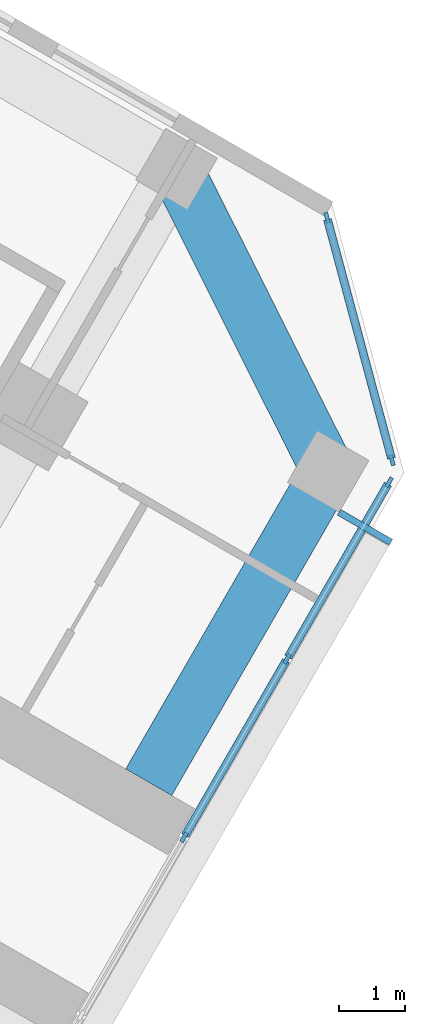
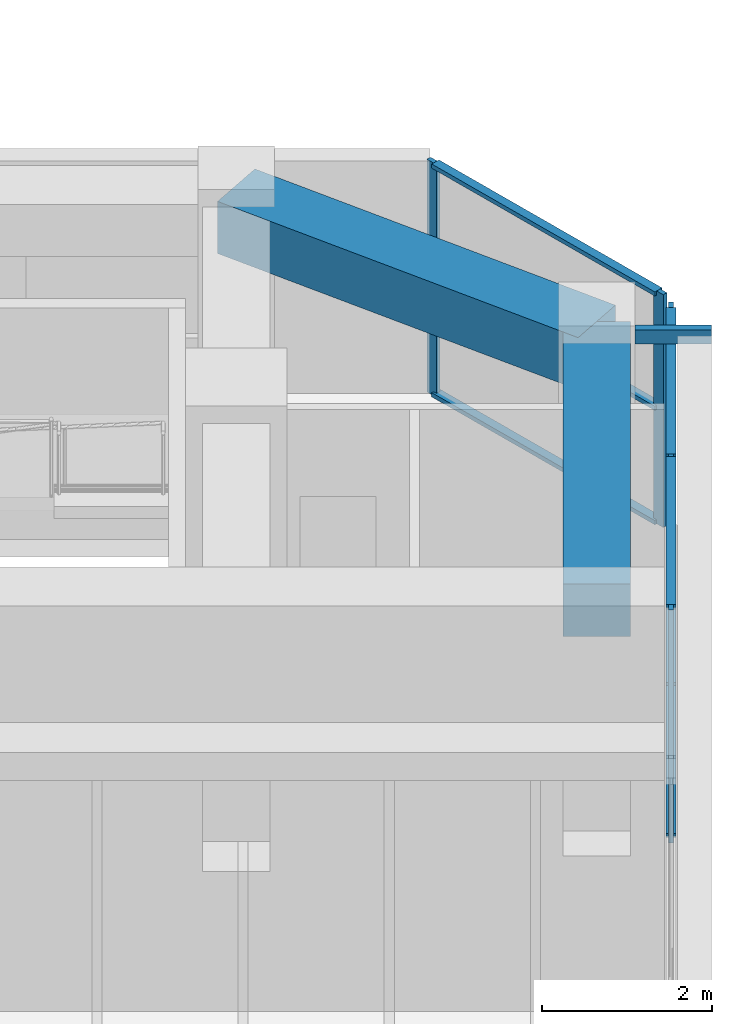
# One storey, part 8 of 19: 13 members, 2 beams, 2 elements without a shape of their own.
"""IFC4 building model written with IfcOpenShell, lengths in metres."""

import ifcopenshell
import ifcopenshell.guid

model = None  # the IFC model being written
_history = None  # IfcOwnerHistory: only IFC2X3 demands one
_inside = {}  # id of a spatial element -> (the spatial element, [elements in it])
_under = {}  # id of a project, library or spatial element -> (it, [spatial elements below it])
_declared = {}  # id of a project -> (the project, [libraries it declares])
_typed = {}  # id of a type object -> (the type object, [elements of that type])
_made_of = {}  # id of a material, layer set ... -> (it, [elements and type objects made of it])


def new_model(schema):
    """Start an empty IFC model of exactly this schema.

    Asked for "IFC4X3", IfcOpenShell would pick the latest addendum, in which some entities
    have other attributes; the version numbers below select the first issue.
    IFC2X3 requires an IfcOwnerHistory on every rooted entity: one is made here for all.
    """
    global model, _history
    if schema == "IFC4X3":
        model = ifcopenshell.file(schema_version=(4, 3, 0, 0))
    else:
        model = ifcopenshell.file(schema=schema)
    _inside.clear()
    _under.clear()
    _declared.clear()
    _typed.clear()
    _made_of.clear()
    _history = None
    if model.schema == "IFC2X3":
        org = make("IfcOrganization", Name="unknown")
        user = make(
            "IfcPersonAndOrganization",
            ThePerson=make("IfcPerson", FamilyName="unknown"),
            TheOrganization=org,
        )
        app = make(
            "IfcApplication",
            ApplicationDeveloper=org,
            Version="unknown",
            ApplicationFullName="unknown",
            ApplicationIdentifier="unknown",
        )
        _history = make(
            "IfcOwnerHistory",
            OwningUser=user,
            OwningApplication=app,
            ChangeAction="ADDED",
            CreationDate=0,
        )
    return model


def make(cls, **values):
    """One entity of the class cls with the attributes given. An attribute that is None is left unset."""
    return model.create_entity(
        cls, **{name: value for name, value in values.items() if value is not None}
    )


def rooted(cls, **values):
    """An entity with a GlobalId (a new one), such as an element, a storey or a relation."""
    return make(cls, GlobalId=ifcopenshell.guid.new(), OwnerHistory=_history, **values)


def si_unit(unit_type, name, prefix=None):
    """IfcSIUnit, for example si_unit("LENGTHUNIT", "METRE", prefix="MILLI")."""
    return make("IfcSIUnit", UnitType=unit_type, Prefix=prefix, Name=name)


def assignment(units):
    """IfcUnitAssignment: the units of a project."""
    return None if units is None else make("IfcUnitAssignment", Units=units)


def point(xyz):
    """IfcCartesianPoint."""
    return None if xyz is None else make("IfcCartesianPoint", Coordinates=xyz)


def direction(xyz):
    """IfcDirection."""
    return None if xyz is None else make("IfcDirection", DirectionRatios=xyz)


def frame(location, z_axis=None, x_axis=None):
    """IfcAxis2Placement3D, a coordinate frame: its origin and axes. An axis left out is left unset."""
    return make(
        "IfcAxis2Placement3D",
        Location=point(location),
        Axis=direction(z_axis),
        RefDirection=direction(x_axis),
    )


def frame_2d(location, x_axis=None):
    """IfcAxis2Placement2D, a coordinate frame in the plane: its origin and x axis."""
    return make(
        "IfcAxis2Placement2D", Location=point(location), RefDirection=direction(x_axis)
    )


def origin():
    """The frame at (0, 0, 0) with its axes left unset."""
    return frame((0.0, 0.0, 0.0))


def origin_2d():
    """The frame at (0, 0) in the plane with its x axis left unset."""
    return frame_2d((0.0, 0.0))


def place(relative_to, where):
    """IfcLocalPlacement: puts the frame where relative to a parent placement (None: the world)."""
    return make(
        "IfcLocalPlacement", PlacementRelTo=relative_to, RelativePlacement=where
    )


def context(
    kind, dimensions, precision=None, world=None, true_north=None, identifier=None
):
    """IfcGeometricRepresentationContext, for example the 3D "Model" context."""
    return make(
        "IfcGeometricRepresentationContext",
        ContextIdentifier=identifier,
        ContextType=kind,
        CoordinateSpaceDimension=dimensions,
        Precision=precision,
        WorldCoordinateSystem=world,
        TrueNorth=true_north,
    )


def subcontext(parent, identifier, kind, view, scale=None):
    """IfcGeometricRepresentationSubContext, for example "Body" below "Model"."""
    return make(
        "IfcGeometricRepresentationSubContext",
        ContextIdentifier=identifier,
        ContextType=kind,
        ParentContext=parent,
        TargetScale=scale,
        TargetView=view,
    )


def project(units=None, contexts=None):
    """IfcProject with its units and contexts."""
    return rooted(
        "IfcProject",
        Name="project",
        RepresentationContexts=contexts,
        UnitsInContext=assignment(units),
    )


def spatial(cls, under=None, at=None, **own):
    """A site, building, storey or space (cls), placed at a placement, below another one or the project."""
    s = rooted(cls, ObjectPlacement=at, **own)
    if under is not None:
        _under.setdefault(under.id(), (under, []))[1].append(s)
    return s


def profile(cls, at=None, kind="AREA", **sizes):
    """A parametric profile (cls). Its sizes go by their IFC names, for example OverallWidth=200.0."""
    return make(cls, ProfileType=kind, Position=at, **sizes)


def rectangle(**sizes):
    """IfcRectangleProfileDef."""
    return profile("IfcRectangleProfileDef", **sizes)


def hollow_rectangle(**sizes):
    """IfcRectangleHollowProfileDef."""
    return profile("IfcRectangleHollowProfileDef", **sizes)


def extrude(swept, where, along, depth):
    """IfcExtrudedAreaSolid: the profile swept, set in the frame where, extruded along a direction by depth."""
    return make(
        "IfcExtrudedAreaSolid",
        SweptArea=swept,
        Position=where,
        ExtrudedDirection=direction(along),
        Depth=depth,
    )


def shape(context_of_items, identifier, shape_type, items):
    """IfcShapeRepresentation: the items that make up one representation, for example the "Body"."""
    return make(
        "IfcShapeRepresentation",
        ContextOfItems=context_of_items,
        RepresentationIdentifier=identifier,
        RepresentationType=shape_type,
        Items=items,
    )


def material(Name=None, Category=None):
    """IfcMaterial."""
    return make("IfcMaterial", Name=Name, Category=Category)


def material_profile(
    of_material, cross_section, Name=None, Category=None, Priority=None
):
    """IfcMaterialProfile: a cross section and its material."""
    return make(
        "IfcMaterialProfile",
        Name=Name,
        Material=of_material,
        Profile=cross_section,
        Priority=Priority,
        Category=Category,
    )


def profile_set(profiles, Name=None, composite=None):
    """IfcMaterialProfileSet."""
    return make(
        "IfcMaterialProfileSet",
        Name=Name,
        MaterialProfiles=profiles,
        CompositeProfile=composite,
    )


def made_of(thing, what):
    """Note that an element or type object is made of a material, layer set ...; save() writes the relation."""
    if what is not None:
        _made_of.setdefault(what.id(), (what, []))[1].append(thing)
    return thing


def type_object(cls, material=None, **own):
    """A type object (cls), such as IfcWallType, which elements share."""
    return made_of(rooted(cls, **own), material)


def element(
    cls,
    number,
    at=None,
    inside=None,
    cuts=None,
    type_object=None,
    material=None,
    context=None,
    identifier="Body",
    shape_type=None,
    held_by="IfcProductDefinitionShape",
    body=None,
    shapes=None,
    **own,
):
    """One element of the class cls, such as IfcWall. Its Tag is "e" and its number.

    at: its placement. inside: the storey or other place that contains it. cuts: it is an
    opening in that element (IfcRelVoidsElement). A single representation is given by context,
    identifier, shape_type and body (its items); several are given by shapes. held_by: the class
    of the entity that holds the representations. save() writes the other relations.
    """
    e = rooted(cls, Tag="e%d" % number, ObjectPlacement=at, **own)
    if body is not None:
        shapes = [shape(context, identifier, shape_type, body)]
    if shapes is not None:
        e.Representation = make(held_by, Representations=shapes)
    if inside is not None:
        _inside.setdefault(inside.id(), (inside, []))[1].append(e)
    if cuts is not None:
        rooted(
            "IfcRelVoidsElement", RelatingBuildingElement=cuts, RelatedOpeningElement=e
        )
    if type_object is not None:
        _typed.setdefault(type_object.id(), (type_object, []))[1].append(e)
    return made_of(e, material)


def aggregate(whole, parts):
    """IfcRelAggregates: a whole, such as a stair, and the parts it consists of."""
    return rooted("IfcRelAggregates", RelatingObject=whole, RelatedObjects=parts)


def save(model, path):
    """Write the relations noted so far, then the file.

    IfcRelAggregates (storeys below a building ...), IfcRelContainedInSpatialStructure (elements
    in a storey), IfcRelDefinesByType, IfcRelAssociatesMaterial and IfcRelDeclares: one each for
    every whole, place, type object, material and project.
    """
    for whole, parts in _under.values():
        aggregate(whole, parts)
    for where, things in _inside.values():
        rooted(
            "IfcRelContainedInSpatialStructure",
            RelatedElements=things,
            RelatingStructure=where,
        )
    for kind, things in _typed.values():
        rooted("IfcRelDefinesByType", RelatedObjects=things, RelatingType=kind)
    for what, things in _made_of.values():
        rooted("IfcRelAssociatesMaterial", RelatedObjects=things, RelatingMaterial=what)
    for by, libraries in _declared.values():
        rooted("IfcRelDeclares", RelatingContext=by, RelatedDefinitions=libraries)
    model.write(path)


model = new_model("IFC4")

# Units and contexts
model_context = context("Model", 3, precision=1e-05, world=origin(), true_north=direction((0.0, 1.0)))
body_context = subcontext(model_context, "Body", "Model", "MODEL_VIEW")
ifc_project = project(units=[si_unit("LENGTHUNIT", "METRE"), si_unit("AREAUNIT", "SQUARE_METRE"), si_unit("VOLUMEUNIT", "CUBIC_METRE"), si_unit("PLANEANGLEUNIT", "RADIAN"), si_unit("MASSUNIT", "GRAM", prefix="KILO")], contexts=[model_context])

# Site, building, storey
site_placement = place(None, origin())
site = spatial("IfcSite", under=ifc_project, at=site_placement, CompositionType="ELEMENT")
building_placement = place(site_placement, origin())
building = spatial("IfcBuilding", under=site, at=building_placement, Name="Kosmar Iwan School Tower", CompositionType="ELEMENT")
storey_placement = place(building_placement, frame((0.0, 0.0, 168.800048828125)))
storey = spatial("IfcBuildingStorey", under=building, at=storey_placement, Name="L42", CompositionType="ELEMENT", Elevation=168.800048828125)

# Member
ifc_material_1 = material(Name="Steel S355", Category="steel")
ifc_material_profile_1 = material_profile(ifc_material_1, hollow_rectangle(XDim=0.10009765625, YDim=0.199951171875, WallThickness=0.008056640625, at=origin_2d()), Name="RHS 200x100x8")
ifc_profile_set_1 = profile_set([ifc_material_profile_1], Name="Steel S355")
member_type_1 = type_object("IfcMemberType", Name="Fin bracket RHS 200x100", PredefinedType="USERDEFINED", material=ifc_profile_set_1)
member_1_placement = place(storey_placement, frame((32.963134765625, -11.006103515625, 3.474853515625), z_axis=(0.866081705922, -0.499902469156, 0.0), x_axis=(0.499902469156, 0.866081705922, 0.0)))
element("IfcMember", 1, at=member_1_placement, inside=storey, type_object=member_type_1, Name="Fin bracket L43", ObjectType="FIN BRACKET", PredefinedType="USERDEFINED", context=body_context, shape_type="SweptSolid", body=[
    extrude(hollow_rectangle(XDim=0.10009765625, YDim=0.199951171875, WallThickness=0.008056640625, at=origin_2d()), origin(), (0.0, 0.0, 1.0), 0.900146484375),
])

# Curtain wall, members
ifc_material_2 = material(Name="Dark glass in black aluminium frame", Category="aluminium")
curtain_wall_type_1 = type_object("IfcCurtainWallType", Name="Tower curtain wall dark glass", PredefinedType="USERDEFINED", material=ifc_material_2)
curtain_wall_1_placement = place(storey_placement, origin())
curtain_wall_1 = element("IfcCurtainWall", 2, at=curtain_wall_1_placement, inside=storey, type_object=curtain_wall_type_1, Name="Curtain wall L42-F03", ObjectType="UNITISED CURTAIN WALL", PredefinedType="USERDEFINED")
ifc_material_3 = material(Name="Black anodised aluminium", Category="aluminium")
ifc_material_profile_2 = material_profile(ifc_material_3, rectangle(XDim=0.06005859375, YDim=0.159912109375, at=origin_2d()), Name="MULLION 60x160")
ifc_profile_set_2 = profile_set([ifc_material_profile_2], Name="Black anodised aluminium")
member_type_2 = type_object("IfcMemberType", Name="Mullion 60x160", PredefinedType="MULLION", material=ifc_profile_set_2)
member_2_placement = place(storey_placement, frame((30.631103515625, -15.8955078125, 0.0), z_axis=(0.0, 0.0, 1.0), x_axis=(-0.866025405329, 0.499999997325, 0.0)))
member_2 = element("IfcMember", 3, at=member_2_placement, type_object=member_type_2, Name="CW1 mullion 4", PredefinedType="MULLION", context=body_context, shape_type="SweptSolid", body=[
    extrude(rectangle(XDim=0.06005859375, YDim=0.159912109375, at=origin_2d()), origin(), (0.0, 0.0, 1.0), 3.349853515625),
])
member_3_placement = place(storey_placement, frame((32.1806640625, -13.21142578125, 0.0), z_axis=(0.0, 0.0, 1.0), x_axis=(-0.866025405329, 0.499999997325, 0.0)))
member_3 = element("IfcMember", 4, at=member_3_placement, type_object=member_type_2, Name="CW1 mullion 5", PredefinedType="MULLION", context=body_context, shape_type="SweptSolid", body=[
    extrude(rectangle(XDim=0.06005859375, YDim=0.159912109375, at=origin_2d()), origin(), (0.0, 0.0, 1.0), 3.349853515625),
])
member_4_placement = place(storey_placement, frame((33.71533203125, -10.55322265625, 0.0), z_axis=(0.0, 0.0, 1.0), x_axis=(-0.866025405329, 0.499999997325, 0.0)))
member_4 = element("IfcMember", 5, at=member_4_placement, type_object=member_type_2, Name="CW1 mullion 6", PredefinedType="MULLION", context=body_context, shape_type="SweptSolid", body=[
    extrude(rectangle(XDim=0.06005859375, YDim=0.159912109375, at=origin_2d()), origin(), (0.0, 0.0, 1.0), 3.349853515625),
])

ifc_material_4 = material(Name="Dark glass in black aluminium frame", Category="aluminium")
curtain_wall_type_2 = type_object("IfcCurtainWallType", Name="Chamfer curtain wall dark glass", PredefinedType="USERDEFINED", material=ifc_material_4)
curtain_wall_2_placement = place(storey_placement, origin())
curtain_wall_2 = element("IfcCurtainWall", 6, at=curtain_wall_2_placement, inside=storey, type_object=curtain_wall_type_2, Name="Curtain wall L42-F04", ObjectType="FACETED CURTAIN WALL", PredefinedType="USERDEFINED")
member_5_placement = place(storey_placement, frame((33.7587890625, -10.2236328125, 0.0), z_axis=(0.0, 0.0, 1.0), x_axis=(-0.965925875495, -0.258818861462, 0.0)))
member_5 = element("IfcMember", 7, at=member_5_placement, type_object=member_type_2, Name="CW2 mullion 1", PredefinedType="MULLION", context=body_context, shape_type="SweptSolid", body=[
    extrude(rectangle(XDim=0.06005859375, YDim=0.159912109375, at=origin_2d()), origin(), (0.0, 0.0, 1.0), 3.349853515625),
])
member_6_placement = place(storey_placement, frame((32.78076171875, -6.5732421875, 0.0), z_axis=(0.0, 0.0, 1.0), x_axis=(-0.965925875495, -0.258818861462, 0.0)))
member_6 = element("IfcMember", 8, at=member_6_placement, type_object=member_type_2, Name="CW2 mullion 2", PredefinedType="MULLION", context=body_context, shape_type="SweptSolid", body=[
    extrude(rectangle(XDim=0.06005859375, YDim=0.159912109375, at=origin_2d()), origin(), (0.0, 0.0, 1.0), 3.349853515625),
])

# Beams
ifc_material_5 = material(Name="Concrete C50/60", Category="concrete")
ifc_material_profile_3 = material_profile(ifc_material_5, rectangle(XDim=0.800048828125, YDim=0.75, at=origin_2d()), Name="RC 800x750")
ifc_profile_set_3 = profile_set([ifc_material_profile_3], Name="Concrete C50/60")
beam_type = type_object("IfcBeamType", Name="RC tip beam 800x750", PredefinedType="BEAM", material=ifc_profile_set_3)
beam_1_placement = place(storey_placement, frame((30.517822265625, -5.841552734375, 2.974853515625), z_axis=(0.44809604203, -0.893985423325, 0.0), x_axis=(0.893985423325, 0.44809604203, 0.0)))
element("IfcBeam", 9, at=beam_1_placement, inside=storey, type_object=beam_type, Name="Tip beam CL", PredefinedType="BEAM", context=body_context, shape_type="SweptSolid", body=[
    extrude(rectangle(XDim=0.800048828125, YDim=0.75, at=origin_2d()), origin(), (0.0, 0.0, 1.0), 5.08935546875),
])
beam_2_placement = place(storey_placement, frame((32.79833984375, -10.391357421875, 2.974853515625), z_axis=(-0.499995103361, -0.866028230842, 0.0), x_axis=(0.866028230842, -0.499995103361, 0.0)))
element("IfcBeam", 10, at=beam_2_placement, inside=storey, type_object=beam_type, Name="Tip beam CL to corridor wall", PredefinedType="BEAM", context=body_context, shape_type="SweptSolid", body=[
    extrude(rectangle(XDim=0.800048828125, YDim=0.75, at=origin_2d()), origin(), (0.0, 0.0, 1.0), 5.39990234375),
])

# Member
ifc_material_6 = material(Name="Black anodised aluminium", Category="aluminium")
ifc_material_profile_4 = material_profile(ifc_material_6, rectangle(XDim=0.1201171875, YDim=0.06005859375, at=origin_2d()), Name="TRANSOM 60x120")
ifc_profile_set_4 = profile_set([ifc_material_profile_4], Name="Black anodised aluminium")
member_type_3 = type_object("IfcMemberType", Name="Transom 60x120", PredefinedType="USERDEFINED", material=ifc_profile_set_4)
member_7_placement = place(storey_placement, frame((30.64599609375, -15.869384765625, 0.030029296875), z_axis=(0.500035348339, 0.866004994449, 0.0), x_axis=(-0.866004994449, 0.500035348339, 0.0)))
member_7 = element("IfcMember", 11, at=member_7_placement, type_object=member_type_3, Name="CW1 transom 4.1", ObjectType="TRANSOM", PredefinedType="USERDEFINED", context=body_context, shape_type="SweptSolid", body=[
    extrude(rectangle(XDim=0.1201171875, YDim=0.06005859375, at=origin_2d()), origin(), (0.0, 0.0, 1.0), 3.039306640625),
])

member_8_placement = place(storey_placement, frame((30.64599609375, -15.869384765625, 3.320068359375), z_axis=(0.500035348339, 0.866004994449, 0.0), x_axis=(-0.866004994449, 0.500035348339, 0.0)))
member_8 = element("IfcMember", 12, at=member_8_placement, type_object=member_type_3, Name="CW1 transom 4.2", ObjectType="TRANSOM", PredefinedType="USERDEFINED", context=body_context, shape_type="SweptSolid", body=[
    extrude(rectangle(XDim=0.1201171875, YDim=0.06005859375, at=origin_2d()), origin(), (0.0, 0.0, 1.0), 3.039306640625),
])

member_9_placement = place(storey_placement, frame((32.19580078125, -13.185302734375, 0.030029296875), z_axis=(0.500022102064, 0.866012642776, 0.0), x_axis=(-0.866012642776, 0.500022102064, 0.0)))
member_9 = element("IfcMember", 13, at=member_9_placement, type_object=member_type_3, Name="CW1 transom 5.1", ObjectType="TRANSOM", PredefinedType="USERDEFINED", context=body_context, shape_type="SweptSolid", body=[
    extrude(rectangle(XDim=0.1201171875, YDim=0.06005859375, at=origin_2d()), origin(), (0.0, 0.0, 1.0), 3.009033203125),
])

member_10_placement = place(storey_placement, frame((32.19580078125, -13.185302734375, 3.320068359375), z_axis=(0.500022102064, 0.866012642776, 0.0), x_axis=(-0.866012642776, 0.500022102064, 0.0)))
member_10 = element("IfcMember", 14, at=member_10_placement, type_object=member_type_3, Name="CW1 transom 5.2", ObjectType="TRANSOM", PredefinedType="USERDEFINED", context=body_context, shape_type="SweptSolid", body=[
    extrude(rectangle(XDim=0.1201171875, YDim=0.06005859375, at=origin_2d()), origin(), (0.0, 0.0, 1.0), 3.009033203125),
])

aggregate(curtain_wall_1, [member_2, member_3, member_4, member_7, member_8, member_9, member_10])

member_11_placement = place(storey_placement, frame((33.7509765625, -10.194580078125, 0.030029296875), z_axis=(-0.258843273983, 0.965919333854, 0.0), x_axis=(-0.965919333854, -0.258843273983, 0.0)))
member_11 = element("IfcMember", 15, at=member_11_placement, type_object=member_type_3, Name="CW2 transom 1.1", ObjectType="TRANSOM", PredefinedType="USERDEFINED", context=body_context, shape_type="SweptSolid", body=[
    extrude(rectangle(XDim=0.1201171875, YDim=0.06005859375, at=origin_2d()), origin(), (0.0, 0.0, 1.0), 3.718994140625),
])

member_12_placement = place(storey_placement, frame((33.7509765625, -10.194580078125, 1.675048828125), z_axis=(-0.258843273983, 0.965919333854, 0.0), x_axis=(-0.965919333854, -0.258843273983, 0.0)))
member_12 = element("IfcMember", 16, at=member_12_placement, type_object=member_type_3, Name="CW2 transom 1.2", ObjectType="TRANSOM", PredefinedType="USERDEFINED", context=body_context, shape_type="SweptSolid", body=[
    extrude(rectangle(XDim=0.1201171875, YDim=0.06005859375, at=origin_2d()), origin(), (0.0, 0.0, 1.0), 3.718994140625),
])

member_13_placement = place(storey_placement, frame((33.7509765625, -10.194580078125, 3.320068359375), z_axis=(-0.258843273983, 0.965919333854, 0.0), x_axis=(-0.965919333854, -0.258843273983, 0.0)))
member_13 = element("IfcMember", 17, at=member_13_placement, type_object=member_type_3, Name="CW2 transom 1.3", ObjectType="TRANSOM", PredefinedType="USERDEFINED", context=body_context, shape_type="SweptSolid", body=[
    extrude(rectangle(XDim=0.1201171875, YDim=0.06005859375, at=origin_2d()), origin(), (0.0, 0.0, 1.0), 3.718994140625),
])

aggregate(curtain_wall_2, [member_5, member_6, member_11, member_12, member_13])

save(model, "model.ifc")
